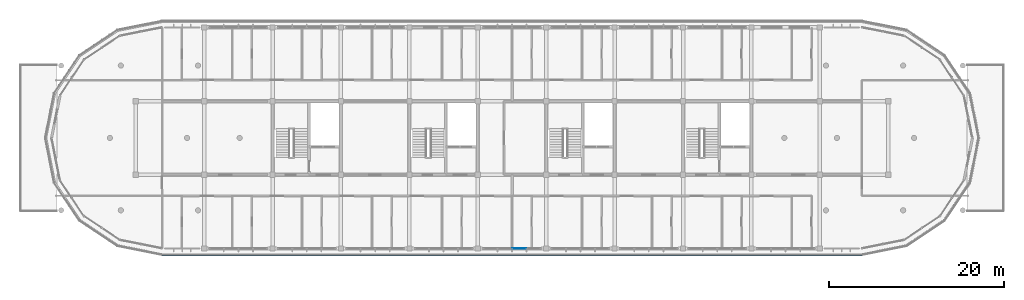
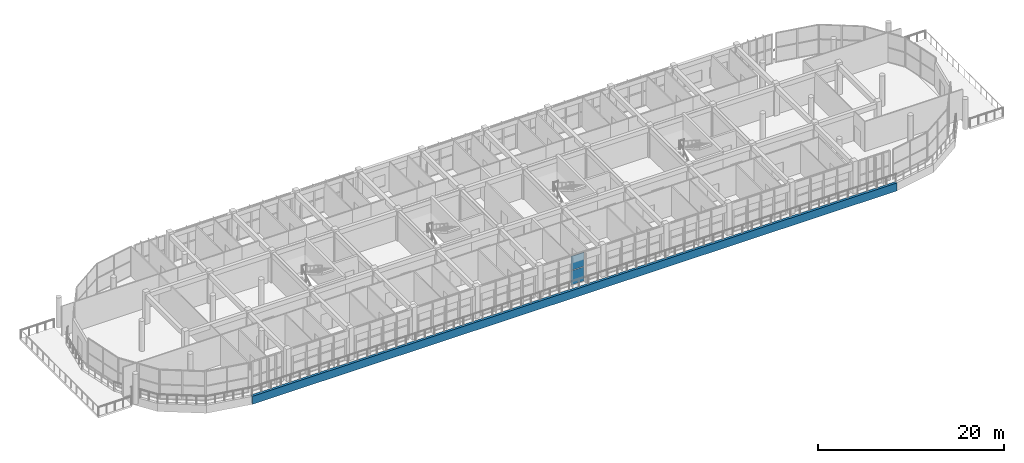
# One storey, part 39 of 56: 3 plates, 1 element without a shape of its own.
"""IFC4 building model written with IfcOpenShell, lengths in metres."""

from ifc_helpers import new_model, si_unit, direction, frame, origin, origin_2d, place, context, subcontext, project, spatial, polyline, rectangle, outline, extrude, material, layer, layer_set, type_object, element, aggregate, save


model = new_model("IFC4")

# Units and contexts
model_context = context("Model", 3, precision=1e-05, world=origin(), true_north=direction((0.0, 1.0)))
body_context = subcontext(model_context, "Body", "Model", "MODEL_VIEW")
ifc_project = project(units=[si_unit("LENGTHUNIT", "METRE"), si_unit("AREAUNIT", "SQUARE_METRE"), si_unit("VOLUMEUNIT", "CUBIC_METRE"), si_unit("PLANEANGLEUNIT", "RADIAN"), si_unit("MASSUNIT", "GRAM", prefix="KILO")], contexts=[model_context])

# Site, building, storey
site_placement = place(None, origin())
site = spatial("IfcSite", under=ifc_project, at=site_placement, CompositionType="ELEMENT")
building_placement = place(site_placement, origin())
building = spatial("IfcBuilding", under=site, at=building_placement, Name="Zizhar Promenade General Hospital", CompositionType="ELEMENT")
storey_placement = place(building_placement, frame((0.0, 0.0, 26.39990234375)))
storey = spatial("IfcBuildingStorey", under=building, at=storey_placement, Name="L06", CompositionType="ELEMENT", Elevation=26.39990234375)

# Curtain wall, plates
ifc_material_1 = material(Name="Anodised aluminium 6063-T6 and low-E glass", Category="aluminium")
ifc_layer_1 = layer(ifc_material_1, 0.159912109375)
ifc_layer_set_1 = layer_set([ifc_layer_1], Name="Anodised aluminium 6063-T6 and low-E glass")
curtain_wall_type = type_object("IfcCurtainWallType", Name="CW-WARD-RIB", PredefinedType="NOTDEFINED", material=ifc_layer_set_1)
curtain_wall_placement = place(storey_placement, origin())
curtain_wall = element("IfcCurtainWall", 1, at=curtain_wall_placement, inside=storey, type_object=curtain_wall_type, Name="Ward Ribbon Curtain Wall L06-17-5", PredefinedType="NOTDEFINED")
ifc_material_2 = material(Name="Low-E solar-control glass", Category="glass")
ifc_layer_2 = layer(ifc_material_2, 0.031982421875)
ifc_layer_set_2 = layer_set([ifc_layer_2], Name="Low-E solar-control glass")
plate_type_1 = type_object("IfcPlateType", Name="CWP-GLZ-32", PredefinedType="CURTAIN_PANEL", material=ifc_layer_set_2)
plate_1_placement = place(storey_placement, frame((74.929931640625, 0.0, 0.06005859375), z_axis=(0.0, 0.0, 1.0), x_axis=(-1.0, 0.0, 0.0)))
plate_1 = element("IfcPlate", 2, at=plate_1_placement, type_object=plate_type_1, Name="CW-13 panel 2.1", PredefinedType="CURTAIN_PANEL", context=body_context, shape_type="SweptSolid", body=[
    extrude(rectangle(XDim=1.580078125, YDim=0.031982421875, at=origin_2d()), origin(), (0.0, 0.0, 1.0), 1.860107421875),
])
plate_2_placement = place(storey_placement, frame((74.929931640625, 0.0, 1.97998046875), z_axis=(0.0, 0.0, 1.0), x_axis=(-1.0, 0.0, 0.0)))
plate_2 = element("IfcPlate", 3, at=plate_2_placement, type_object=plate_type_1, Name="CW-13 panel 2.2", PredefinedType="CURTAIN_PANEL", context=body_context, shape_type="SweptSolid", body=[
    extrude(rectangle(XDim=1.580078125, YDim=0.031982421875, at=origin_2d()), origin(), (0.0, 0.0, 1.0), 1.860107421875),
])
aggregate(curtain_wall, [plate_1, plate_2])

# Plate
ifc_material_3 = material(Name="Precast concrete C40/50", Category="concrete")
ifc_layer_3 = layer(ifc_material_3, 0.300048828125)
ifc_layer_set_3 = layer_set([ifc_layer_3], Name="Precast concrete C40/50")
plate_type_2 = type_object("IfcPlateType", Name="PL-PC-BAND1100", PredefinedType="USERDEFINED", material=ifc_layer_set_3)
plate_3_placement = place(storey_placement, frame((0.0, 0.0, -1.0498046875)))
element("IfcPlate", 4, at=plate_3_placement, inside=storey, type_object=plate_type_2, Name="Ward Precast Slab Band L06-18", ObjectType="FASCIA_BAND", PredefinedType="USERDEFINED", context=body_context, shape_type="SweptSolid", body=[
    extrude(outline(polyline([(34.199951171875, -0.85009765625), (114.0, -0.85009765625), (114.0, -0.550048828125), (34.199951171875, -0.550048828125), (34.199951171875, -0.85009765625)])), origin(), (0.0, 0.0, 1.0), 1.0498046875),
])

save(model, "model.ifc")
